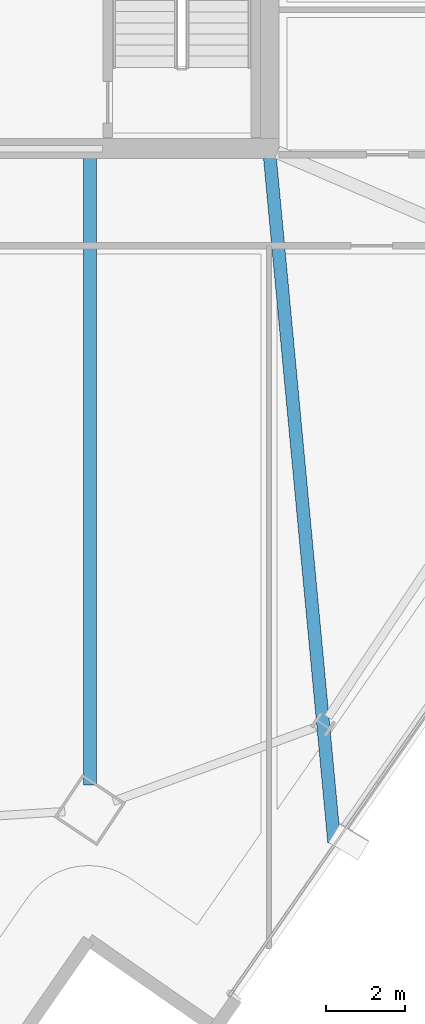
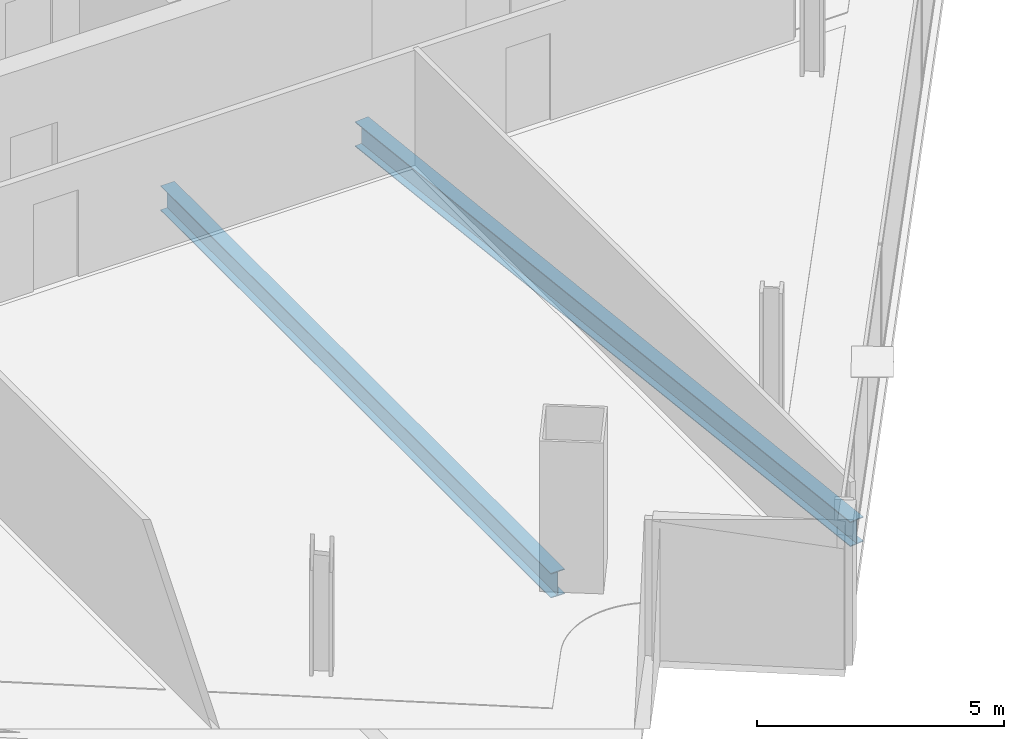
# One storey, part 9 of 30: 2 beams.
"""IFC4 building model written with IfcOpenShell, lengths in metres."""

from ifc_helpers import new_model, si_unit, direction, frame, origin, origin_2d, place, context, subcontext, project, spatial, i_section, extrude, material, material_profile, profile_set, type_object, element, save


model = new_model("IFC4")

# Units and contexts
model_context = context("Model", 3, precision=1e-05, world=origin(), true_north=direction((0.0, 1.0)))
body_context = subcontext(model_context, "Body", "Model", "MODEL_VIEW")
ifc_project = project(units=[si_unit("LENGTHUNIT", "METRE"), si_unit("AREAUNIT", "SQUARE_METRE"), si_unit("VOLUMEUNIT", "CUBIC_METRE"), si_unit("PLANEANGLEUNIT", "RADIAN"), si_unit("MASSUNIT", "GRAM", prefix="KILO")], contexts=[model_context])

# Site, building, storey
site_placement = place(None, origin())
site = spatial("IfcSite", under=ifc_project, at=site_placement, CompositionType="ELEMENT")
building_placement = place(site_placement, origin())
building = spatial("IfcBuilding", under=site, at=building_placement, Name="Haldenkirk Collegiate Tower", CompositionType="ELEMENT")
storey_placement = place(building_placement, frame((0.0, 0.0, 213.449951171875)))
storey = spatial("IfcBuildingStorey", under=building, at=storey_placement, Name="L53", CompositionType="ELEMENT", Elevation=213.449951171875)

# Beams
ifc_material = material(Name="Steel ASTM A992 Grade 50", Category="steel")
ifc_material_profile = material_profile(ifc_material, i_section(OverallWidth=0.324951171875, OverallDepth=0.615966796875, WebThickness=0.013916015625, FlangeThickness=0.021484375, at=origin_2d()), Name="W24X117")
ifc_profile_set = profile_set([ifc_material_profile], Name="Steel ASTM A992 Grade 50")
beam_type = type_object("IfcBeamType", Name="BM-GIRDER-W24X117", PredefinedType="BEAM", material=ifc_profile_set)
beam_1_placement = place(storey_placement, frame((40.482666015625, 1.962890625, -0.587890625), z_axis=(0.0, 1.0, 0.0), x_axis=(-1.0, 0.0, 0.0)))
element("IfcBeam", 1, at=beam_1_placement, inside=storey, type_object=beam_type, Name="L53 primary floor girder 01", PredefinedType="BEAM", context=body_context, shape_type="SweptSolid", body=[
    extrude(i_section(OverallWidth=0.324951171875, OverallDepth=0.615966796875, WebThickness=0.013916015625, FlangeThickness=0.021484375, at=origin_2d()), origin(), (0.0, 0.0, 1.0), 15.80712890625),
])
beam_2_placement = place(storey_placement, frame((46.64208984375, 0.52099609375, -0.587890625), z_axis=(-0.093536262573, 0.995615873509, 0.0), x_axis=(-0.995615873509, -0.093536262573, 0.0)))
element("IfcBeam", 2, at=beam_2_placement, inside=storey, type_object=beam_type, Name="L53 primary floor girder 05", PredefinedType="BEAM", context=body_context, shape_type="SweptSolid", body=[
    extrude(i_section(OverallWidth=0.324951171875, OverallDepth=0.615966796875, WebThickness=0.013916015625, FlangeThickness=0.021484375, at=origin_2d()), origin(), (0.0, 0.0, 1.0), 17.325927734375),
])

save(model, "model.ifc")
